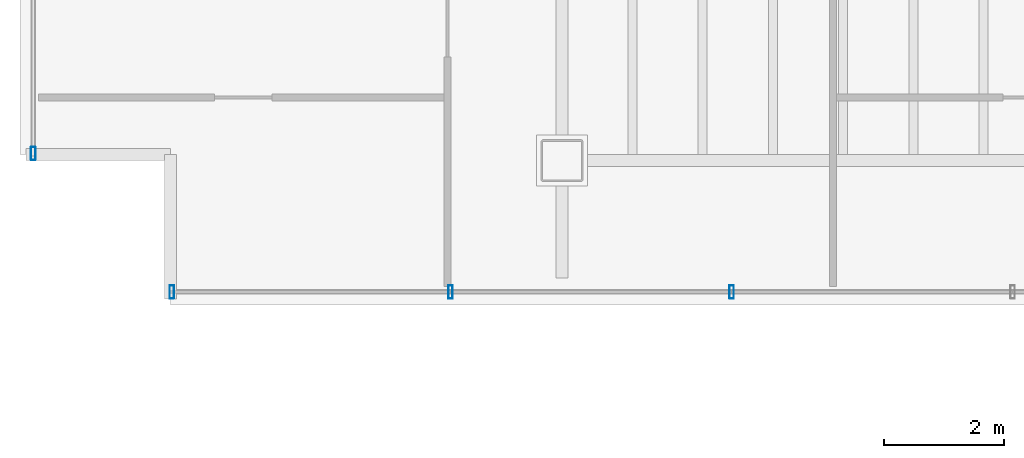
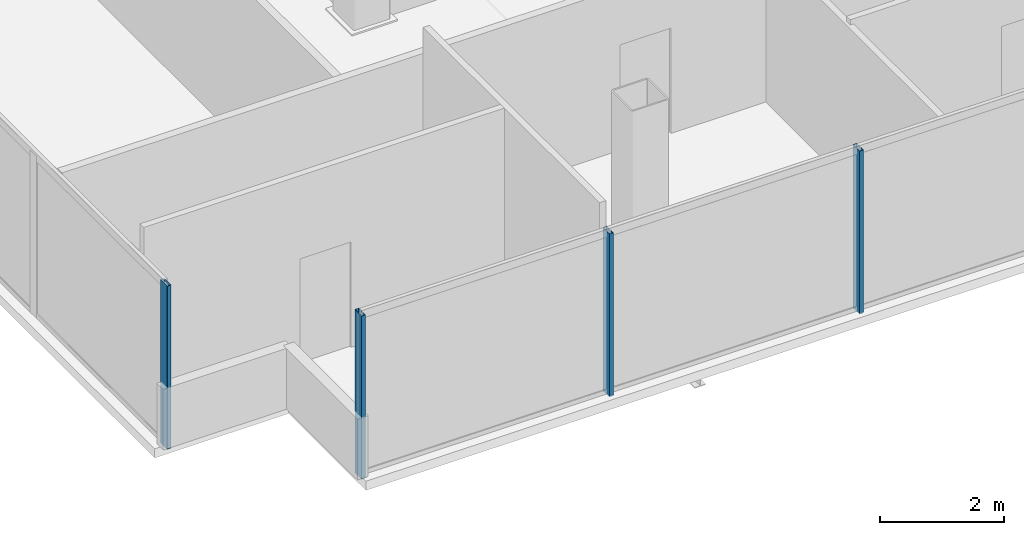
# One storey, part 2 of 17: 4 members, 2 elements without a shape of their own.
"""IFC4 building model written with IfcOpenShell, lengths in metres."""

from ifc_helpers import new_model, si_unit, direction, frame, origin, origin_2d, place, context, subcontext, project, spatial, hollow_rectangle, extrude, material, material_profile, profile_set, type_object, element, aggregate, save


model = new_model("IFC4")

# Units and contexts
model_context = context("Model", 3, precision=1e-05, world=origin(), true_north=direction((0.0, 1.0)))
body_context = subcontext(model_context, "Body", "Model", "MODEL_VIEW")
ifc_project = project(units=[si_unit("LENGTHUNIT", "METRE"), si_unit("AREAUNIT", "SQUARE_METRE"), si_unit("VOLUMEUNIT", "CUBIC_METRE"), si_unit("PLANEANGLEUNIT", "RADIAN"), si_unit("MASSUNIT", "GRAM", prefix="KILO")], contexts=[model_context])

# Site, building, storey
site_placement = place(None, origin())
site = spatial("IfcSite", under=ifc_project, at=site_placement, CompositionType="ELEMENT")
building_placement = place(site_placement, origin())
building = spatial("IfcBuilding", under=site, at=building_placement, Name="Noeulbin Bourse Tower", CompositionType="ELEMENT")
storey_placement = place(building_placement, frame((0.0, 0.0, 273.5)))
storey = spatial("IfcBuildingStorey", under=building, at=storey_placement, Name="L68", CompositionType="ELEMENT", Elevation=273.5)

# Curtain wall, members
ifc_material_1 = material(Name="High-Selectivity Low-Iron Glazing", Category="glass")
curtain_wall_type = type_object("IfcCurtainWallType", Name="CW-SYS-4", PredefinedType="NOTDEFINED", material=ifc_material_1)
curtain_wall_1_placement = place(storey_placement, origin())
curtain_wall_1 = element("IfcCurtainWall", 1, at=curtain_wall_1_placement, inside=storey, type_object=curtain_wall_type, Name="Unitised Curtain Wall CW-L68-S1", PredefinedType="NOTDEFINED")
ifc_material_2 = material(Name="Anodised Aluminium 6063-T6", Category="aluminium")
ifc_material_profile = material_profile(ifc_material_2, hollow_rectangle(XDim=0.074951171875, YDim=0.219970703125, WallThickness=0.0048828125, InnerFilletRadius=0.00244140625, OuterFilletRadius=0.0048828125, at=origin_2d()), Name="ALU-MULL-75x220x5", Category="LoadBearing")
ifc_profile_set = profile_set([ifc_material_profile], Name="Anodised Aluminium 6063-T6")
member_type = type_object("IfcMemberType", Name="CW-SYS-4-MUL", PredefinedType="MULLION", material=ifc_profile_set)
member_1_placement = place(storey_placement, frame((7.02001953125, 17.820068359375, -0.02001953125), z_axis=(0.0, 0.0, 1.0), x_axis=(1.0, 0.0, 0.0)))
member_1 = element("IfcMember", 2, at=member_1_placement, type_object=member_type, Name="Curtain Wall Mullion CW-L68-S1-M00", PredefinedType="MULLION", context=body_context, shape_type="SweptSolid", body=[
    extrude(hollow_rectangle(XDim=0.074951171875, YDim=0.219970703125, WallThickness=0.0048828125, InnerFilletRadius=0.00244140625, OuterFilletRadius=0.0048828125, at=origin_2d()), origin(), (0.0, 0.0, 1.0), 3.219970703125),
])
member_2_placement = place(storey_placement, frame((11.6474609375, 17.820068359375, -0.02001953125), z_axis=(0.0, 0.0, 1.0), x_axis=(1.0, 0.0, 0.0)))
member_2 = element("IfcMember", 3, at=member_2_placement, type_object=member_type, Name="Curtain Wall Mullion CW-L68-S1-M01", PredefinedType="MULLION", context=body_context, shape_type="SweptSolid", body=[
    extrude(hollow_rectangle(XDim=0.074951171875, YDim=0.219970703125, WallThickness=0.0048828125, InnerFilletRadius=0.00244140625, OuterFilletRadius=0.0048828125, at=origin_2d()), origin(), (0.0, 0.0, 1.0), 3.219970703125),
])
member_3_placement = place(storey_placement, frame((16.31494140625, 17.820068359375, -0.02001953125), z_axis=(0.0, 0.0, 1.0), x_axis=(1.0, 0.0, 0.0)))
member_3 = element("IfcMember", 4, at=member_3_placement, type_object=member_type, Name="Curtain Wall Mullion CW-L68-S1-M02", PredefinedType="MULLION", context=body_context, shape_type="SweptSolid", body=[
    extrude(hollow_rectangle(XDim=0.074951171875, YDim=0.219970703125, WallThickness=0.0048828125, InnerFilletRadius=0.00244140625, OuterFilletRadius=0.0048828125, at=origin_2d()), origin(), (0.0, 0.0, 1.0), 3.219970703125),
])
aggregate(curtain_wall_1, [member_1, member_2, member_3])

# Curtain wall, member
curtain_wall_2_placement = place(storey_placement, origin())
curtain_wall_2 = element("IfcCurtainWall", 5, at=curtain_wall_2_placement, inside=storey, type_object=curtain_wall_type, Name="Unitised Curtain Wall CW-L68-W-S1", PredefinedType="NOTDEFINED")
member_4_placement = place(storey_placement, frame((4.719970703125, 20.1201171875, -0.02001953125), z_axis=(0.0, 0.0, 1.0), x_axis=(1.0, 0.0, 0.0)))
member_4 = element("IfcMember", 6, at=member_4_placement, type_object=member_type, Name="Curtain Wall Mullion CW-L68-W-S1-M00", PredefinedType="MULLION", context=body_context, shape_type="SweptSolid", body=[
    extrude(hollow_rectangle(XDim=0.074951171875, YDim=0.219970703125, WallThickness=0.0048828125, InnerFilletRadius=0.00244140625, OuterFilletRadius=0.0048828125, at=origin_2d()), origin(), (0.0, 0.0, 1.0), 3.219970703125),
])
aggregate(curtain_wall_2, [member_4])

save(model, "model.ifc")
